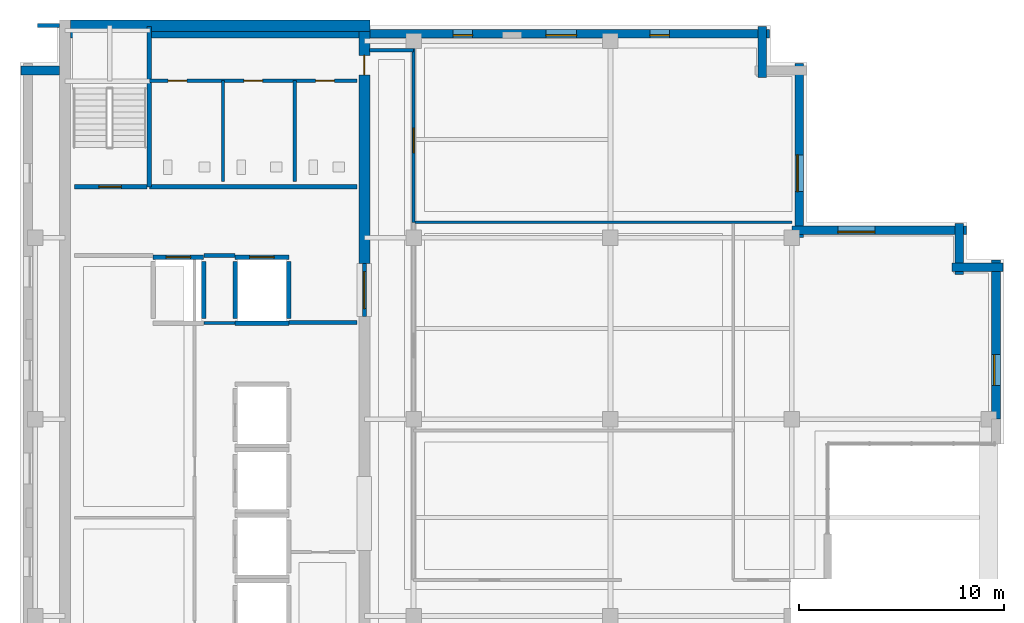
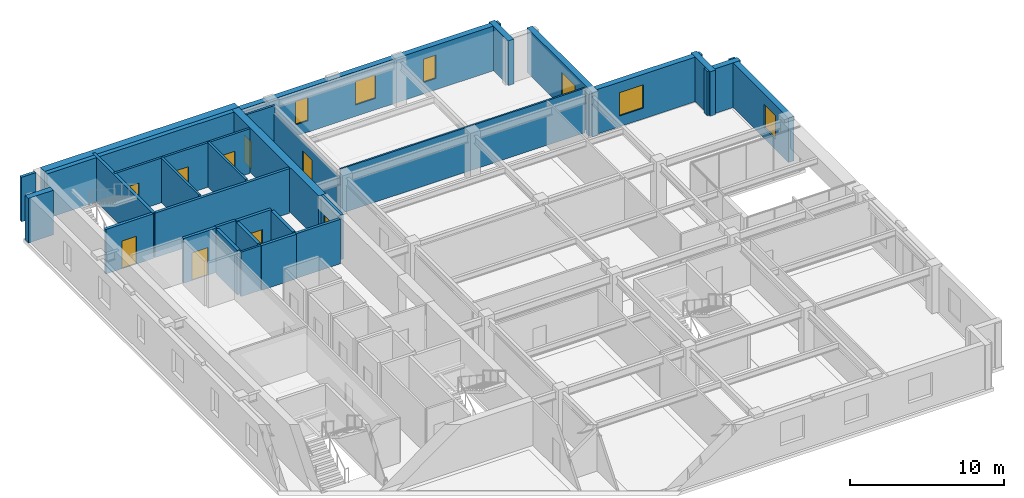
# One storey, part 5 of 11: 30 walls, 9 doors, 6 windows, 15 openings.
"""IFC4 building model written with IfcOpenShell, lengths in metres."""

from ifc_helpers import new_model, si_unit, direction, frame, frame_2d, origin, place, context, subcontext, project, spatial, rectangle, extrude, material, layer, layer_set, type_object, element, fill, save


model = new_model("IFC4")

# Units and contexts
model_context = context("Model", 3, precision=1e-05, world=origin(), true_north=direction((0.0, 1.0)))
body_context = subcontext(model_context, "Body", "Model", "MODEL_VIEW")
ifc_project = project(units=[si_unit("LENGTHUNIT", "METRE"), si_unit("AREAUNIT", "SQUARE_METRE"), si_unit("VOLUMEUNIT", "CUBIC_METRE"), si_unit("PLANEANGLEUNIT", "RADIAN"), si_unit("MASSUNIT", "GRAM", prefix="KILO")], contexts=[model_context])

# Site, building, storey
site_placement = place(None, origin())
site = spatial("IfcSite", under=ifc_project, at=site_placement, CompositionType="ELEMENT")
building_placement = place(site_placement, origin())
building = spatial("IfcBuilding", under=site, at=building_placement, Name="Norrvale University Quadrangle", CompositionType="ELEMENT")
storey_placement = place(building_placement, frame((0.0, 0.0, 281.0)))
storey = spatial("IfcBuildingStorey", under=building, at=storey_placement, Name="L71", CompositionType="ELEMENT", Elevation=281.0)

# Walls
ifc_material_1 = material(Name="Buff Norman Clay Brick Masonry", Category="masonry")
ifc_layer_1 = layer(ifc_material_1, 0.419921875, Name="Buff Norman Clay Brick Masonry")
ifc_layer_set_1 = layer_set([ifc_layer_1], Name="Buff Norman Clay Brick Masonry")
wall_type_1 = type_object("IfcWallType", Name="Wall Buff Brick 420", PredefinedType="SOLIDWALL", material=ifc_layer_set_1)
for number, where, z_axis, x_axis, name in (
    (1, (47.9599609375, 36.2099609375, 0.0), (0.0, 0.0, 1.0), (-1.0, 0.0, 0.0), "Exterior Brick Facade Wall L71-05.1"),
    (2, (45.81005859375, 35.860107421875, 0.0), (0.0, 0.0, 1.0), (0.0, 1.0, 0.0), "Exterior Brick Facade Wall L71-06.1"),
):
    element("IfcWall", number, at=place(storey_placement, frame(where, z_axis=z_axis, x_axis=x_axis)), inside=storey, type_object=wall_type_1, Name=name, PredefinedType="SOLIDWALL", context=body_context, shape_type="SweptSolid", body=[
        extrude(rectangle(XDim=2.5, YDim=0.419921875, at=frame_2d((1.25, 0.0))), origin(), (0.0, 0.0, 1.0), 3.5400390625),
    ])

# Wall, opening, window
wall_1_placement = place(storey_placement, frame((46.159912109375, 38.010009765625, 0.0), z_axis=(0.0, 0.0, 1.0), x_axis=(-1.0, 0.0, 0.0)))
wall_1 = element("IfcWall", 3, at=wall_1_placement, inside=storey, type_object=wall_type_1, Name="Exterior Brick Facade Wall L71-07.1", PredefinedType="SOLIDWALL", context=body_context, shape_type="SweptSolid", body=[
    extrude(rectangle(XDim=8.5, YDim=0.419921875, at=frame_2d((4.25, 0.0))), origin(), (0.0, 0.0, 1.0), 3.5400390625),
])
opening_1_placement = place(wall_1_placement, frame((4.4599609375, 0.0, 0.85009765625)))
opening_1 = element("IfcOpeningElement", 4, at=opening_1_placement, cuts=wall_1, Name="Opening W01", PredefinedType="OPENING", context=body_context, shape_type="SweptSolid", body=[
    extrude(rectangle(XDim=1.800048828125, YDim=1.85009765625, at=frame_2d((0.89990234375, 0.925048828125))), frame((0.0, 0.221923828125, 0.0), z_axis=(0.0, -1.0, 0.0), x_axis=(1.0, 0.0, 0.0)), (0.0, 0.0, 1.0), 0.44384765625),
])
ifc_material_2 = material(Name="Triple Low-E Argon Glazing", Category="glass")
window_type_1 = type_object("IfcWindowType", Name="Window Academic 1800x2300", PartitioningType="DOUBLE_PANEL_VERTICAL", PredefinedType="WINDOW", material=ifc_material_2)
window_1_placement = place(opening_1_placement, origin())
window_1 = element("IfcWindow", 5, at=window_1_placement, inside=storey, type_object=window_type_1, Name="Window Academic 1800x2300 WIN-L71-E07-1-01", OverallHeight=1.85009765625, OverallWidth=1.800048828125, PartitioningType="DOUBLE_PANEL_VERTICAL", PredefinedType="WINDOW", context=body_context, shape_type="SweptSolid", body=[
    extrude(rectangle(XDim=1.800048828125, YDim=1.85009765625, at=frame_2d((0.89990234375, 0.925048828125))), frame((0.0, 0.110107421875, 0.0), z_axis=(0.0, -1.0, 0.0), x_axis=(1.0, 0.0, 0.0)), (0.0, 0.0, 1.0), 0.06005859375),
])
fill(opening_1, window_1)

wall_2_placement = place(storey_placement, frame((38.010009765625, 37.659912109375, 0.0), z_axis=(0.0, 0.0, 1.0), x_axis=(0.0, 1.0, 0.0)))
wall_2 = element("IfcWall", 6, at=wall_2_placement, inside=storey, type_object=wall_type_1, Name="Exterior Brick Facade Wall L71-08.1", PredefinedType="SOLIDWALL", context=body_context, shape_type="SweptSolid", body=[
    extrude(rectangle(XDim=8.5, YDim=0.419921875, at=frame_2d((4.25, 0.0))), origin(), (0.0, 0.0, 1.0), 3.5400390625),
])
opening_2_placement = place(wall_2_placement, frame((2.239990234375, 0.0, 0.85009765625)))
opening_2 = element("IfcOpeningElement", 7, at=opening_2_placement, cuts=wall_2, Name="Opening W01", PredefinedType="OPENING", context=body_context, shape_type="SweptSolid", body=[
    extrude(rectangle(XDim=1.800048828125, YDim=1.85009765625, at=frame_2d((0.89990234375, 0.925048828125))), frame((0.0, 0.221923828125, 0.0), z_axis=(0.0, -1.0, 0.0), x_axis=(1.0, 0.0, 0.0)), (0.0, 0.0, 1.0), 0.44384765625),
])
window_2_placement = place(opening_2_placement, origin())
window_2 = element("IfcWindow", 8, at=window_2_placement, inside=storey, type_object=window_type_1, Name="Window Academic 1800x2300 WIN-L71-E08-1-01", OverallHeight=1.85009765625, OverallWidth=1.800048828125, PartitioningType="DOUBLE_PANEL_VERTICAL", PredefinedType="WINDOW", context=body_context, shape_type="SweptSolid", body=[
    extrude(rectangle(XDim=1.800048828125, YDim=1.85009765625, at=frame_2d((0.89990234375, 0.925048828125))), frame((0.0, 0.110107421875, 0.0), z_axis=(0.0, -1.0, 0.0), x_axis=(1.0, 0.0, 0.0)), (0.0, 0.0, 1.0), 0.06005859375),
])
fill(opening_2, window_2)

# Wall
wall_3_placement = place(storey_placement, frame((36.2099609375, 45.4599609375, 0.0), z_axis=(0.0, 0.0, 1.0), x_axis=(0.0, 1.0, 0.0)))
element("IfcWall", 9, at=wall_3_placement, inside=storey, type_object=wall_type_1, Name="Exterior Brick Facade Wall L71-10.1", PredefinedType="SOLIDWALL", context=body_context, shape_type="SweptSolid", body=[
    extrude(rectangle(XDim=2.5, YDim=0.419921875, at=frame_2d((1.25, 0.0))), origin(), (0.0, 0.0, 1.0), 3.5400390625),
])

# Wall, openings, windows
wall_4_placement = place(storey_placement, frame((36.56005859375, 47.610107421875, 0.0), z_axis=(0.0, 0.0, 1.0), x_axis=(-1.0, 0.0, 0.0)))
wall_4 = element("IfcWall", 10, at=wall_4_placement, inside=storey, type_object=wall_type_1, Name="Exterior Brick Facade Wall L71-11.1", PredefinedType="SOLIDWALL", context=body_context, shape_type="SweptSolid", body=[
    extrude(rectangle(XDim=34.0849609375, YDim=0.419921875, at=frame_2d((17.04248046875, 0.0))), origin(), (0.0, 0.0, 1.0), 3.5400390625),
])
opening_3_placement = place(wall_4_placement, frame((4.885009765625, 0.0, 0.89990234375)))
opening_3 = element("IfcOpeningElement", 11, at=opening_3_placement, cuts=wall_4, Name="Opening W04", PredefinedType="OPENING", context=body_context, shape_type="SweptSolid", body=[
    extrude(rectangle(XDim=0.949951171875, YDim=1.85009765625, at=frame_2d((0.47509765625, 0.925048828125))), frame((0.0, 0.221923828125, 0.0), z_axis=(0.0, -1.0, 0.0), x_axis=(1.0, 0.0, 0.0)), (0.0, 0.0, 1.0), 0.44384765625),
])
opening_4_placement = place(wall_4_placement, frame((9.409912109375, 0.0, 0.89990234375)))
opening_4 = element("IfcOpeningElement", 12, at=opening_4_placement, cuts=wall_4, Name="Opening W03", PredefinedType="OPENING", context=body_context, shape_type="SweptSolid", body=[
    extrude(rectangle(XDim=1.5, YDim=1.85009765625, at=frame_2d((0.75, 0.925048828125))), frame((0.0, 0.221923828125, 0.0), z_axis=(0.0, -1.0, 0.0), x_axis=(1.0, 0.0, 0.0)), (0.0, 0.0, 1.0), 0.44384765625),
])
opening_5_placement = place(wall_4_placement, frame((14.485107421875, 0.0, 0.89990234375)))
opening_5 = element("IfcOpeningElement", 13, at=opening_5_placement, cuts=wall_4, Name="Opening W04", PredefinedType="OPENING", context=body_context, shape_type="SweptSolid", body=[
    extrude(rectangle(XDim=0.949951171875, YDim=1.85009765625, at=frame_2d((0.47509765625, 0.925048828125))), frame((0.0, 0.221923828125, 0.0), z_axis=(0.0, -1.0, 0.0), x_axis=(1.0, 0.0, 0.0)), (0.0, 0.0, 1.0), 0.44384765625),
])
window_type_2 = type_object("IfcWindowType", Name="Window Narrow Pier 950x2300", PartitioningType="SINGLE_PANEL", PredefinedType="WINDOW", material=ifc_material_2)
window_3_placement = place(opening_3_placement, origin())
window_3 = element("IfcWindow", 14, at=window_3_placement, inside=storey, type_object=window_type_2, Name="Window Narrow Pier 950x2300 WIN-L71-E11-1-01", OverallHeight=1.85009765625, OverallWidth=0.949951171875, PartitioningType="SINGLE_PANEL", PredefinedType="WINDOW", context=body_context, shape_type="SweptSolid", body=[
    extrude(rectangle(XDim=0.949951171875, YDim=1.85009765625, at=frame_2d((0.47509765625, 0.925048828125))), frame((0.0, 0.110107421875, 0.0), z_axis=(0.0, -1.0, 0.0), x_axis=(1.0, 0.0, 0.0)), (0.0, 0.0, 1.0), 0.06005859375),
])
fill(opening_3, window_3)
window_4_placement = place(opening_5_placement, origin())
window_4 = element("IfcWindow", 15, at=window_4_placement, inside=storey, type_object=window_type_2, Name="Window Narrow Pier 950x2300 WIN-L71-E11-1-03", OverallHeight=1.85009765625, OverallWidth=0.949951171875, PartitioningType="SINGLE_PANEL", PredefinedType="WINDOW", context=body_context, shape_type="SweptSolid", body=[
    extrude(rectangle(XDim=0.949951171875, YDim=1.85009765625, at=frame_2d((0.47509765625, 0.925048828125))), frame((0.0, 0.110107421875, 0.0), z_axis=(0.0, -1.0, 0.0), x_axis=(1.0, 0.0, 0.0)), (0.0, 0.0, 1.0), 0.06005859375),
])
fill(opening_5, window_4)
window_type_3 = type_object("IfcWindowType", Name="Window Studio 1500x2300", PartitioningType="DOUBLE_PANEL_VERTICAL", PredefinedType="WINDOW", material=ifc_material_2)
window_5_placement = place(opening_4_placement, origin())
window_5 = element("IfcWindow", 16, at=window_5_placement, inside=storey, type_object=window_type_3, Name="Window Studio 1500x2300 WIN-L71-E11-1-02", OverallHeight=1.85009765625, OverallWidth=1.5, PartitioningType="DOUBLE_PANEL_VERTICAL", PredefinedType="WINDOW", context=body_context, shape_type="SweptSolid", body=[
    extrude(rectangle(XDim=1.5, YDim=1.85009765625, at=frame_2d((0.75, 0.925048828125))), frame((0.0, 0.110107421875, 0.0), z_axis=(0.0, -1.0, 0.0), x_axis=(1.0, 0.0, 0.0)), (0.0, 0.0, 1.0), 0.06005859375),
])
fill(opening_4, window_5)

# Wall
wall_5_placement = place(storey_placement, frame((1.925048828125, 45.81005859375, 0.0), z_axis=(0.0, 0.0, 1.0), x_axis=(-1.0, 0.0, 0.0)))
element("IfcWall", 17, at=wall_5_placement, inside=storey, type_object=wall_type_1, Name="Exterior Brick Facade Wall L71-13.1", PredefinedType="SOLIDWALL", context=body_context, shape_type="SweptSolid", body=[
    extrude(rectangle(XDim=1.885009765625, YDim=0.419921875, at=frame_2d((0.9423828125, 0.0))), origin(), (0.0, 0.0, 1.0), 3.5400390625),
])

# Wall, opening, window
wall_6_placement = place(storey_placement, frame((47.610107421875, 28.800048828125, 0.0), z_axis=(0.0, 0.0, 1.0), x_axis=(0.0, 1.0, 0.0)))
wall_6 = element("IfcWall", 18, at=wall_6_placement, inside=storey, type_object=wall_type_1, Name="Exterior Brick Facade Wall L71-04.2 B2", PredefinedType="SOLIDWALL", context=body_context, shape_type="SweptSolid", body=[
    extrude(rectangle(XDim=7.760009765625, YDim=0.419921875, at=frame_2d((3.8798828125, 0.0))), origin(), (0.0, 0.0, 1.0), 3.5400390625),
])
opening_6_placement = place(wall_6_placement, frame((1.64990234375, 0.0, 0.85009765625)))
opening_6 = element("IfcOpeningElement", 19, at=opening_6_placement, cuts=wall_6, Name="Opening W03", PredefinedType="OPENING", context=body_context, shape_type="SweptSolid", body=[
    extrude(rectangle(XDim=1.5, YDim=1.85009765625, at=frame_2d((0.75, 0.925048828125))), frame((0.0, 0.221923828125, 0.0), z_axis=(0.0, -1.0, 0.0), x_axis=(1.0, 0.0, 0.0)), (0.0, 0.0, 1.0), 0.44384765625),
])
window_6_placement = place(opening_6_placement, origin())
window_6 = element("IfcWindow", 20, at=window_6_placement, inside=storey, type_object=window_type_3, Name="Window Studio 1500x2300 WIN-L71-E04-2-01", OverallHeight=1.85009765625, OverallWidth=1.5, PartitioningType="DOUBLE_PANEL_VERTICAL", PredefinedType="WINDOW", context=body_context, shape_type="SweptSolid", body=[
    extrude(rectangle(XDim=1.5, YDim=1.85009765625, at=frame_2d((0.75, 0.925048828125))), frame((0.0, 0.110107421875, 0.0), z_axis=(0.0, -1.0, 0.0), x_axis=(1.0, 0.0, 0.0)), (0.0, 0.0, 1.0), 0.06005859375),
])
fill(opening_6, window_6)

# Wall
ifc_material_3 = material(Name="Concrete C60/75", Category="concrete")
ifc_layer_2 = layer(ifc_material_3, 0.550048828125, Name="Concrete C60/75")
ifc_layer_set_2 = layer_set([ifc_layer_2], Name="Concrete C60/75")
wall_type_2 = type_object("IfcWallType", Name="Wall Core 550", PredefinedType="SHEAR", material=ifc_layer_set_2)
wall_7_placement = place(storey_placement, frame((2.47509765625, 48.0, 0.0), z_axis=(0.0, 0.0, 1.0), x_axis=(1.0, 0.0, 0.0)))
element("IfcWall", 21, at=wall_7_placement, inside=storey, type_object=wall_type_2, Name="Tower Core Shear Wall L71-N", PredefinedType="SHEAR", context=body_context, shape_type="SweptSolid", body=[
    extrude(rectangle(XDim=14.599853515625, YDim=0.550048828125, at=frame_2d((7.2998046875, 0.0))), origin(), (0.0, 0.0, 1.0), 3.5400390625),
])

# Wall, opening, door
wall_8_placement = place(storey_placement, frame((16.800048828125, 36.39990234375, 0.0), z_axis=(0.0, 0.0, 1.0), x_axis=(0.0, 1.0, 0.0)))
wall_8 = element("IfcWall", 22, at=wall_8_placement, inside=storey, type_object=wall_type_2, Name="Tower Core Shear Wall L71-E3", PredefinedType="SHEAR", context=body_context, shape_type="SweptSolid", body=[
    extrude(rectangle(XDim=11.3251953125, YDim=0.550048828125, at=frame_2d((5.66259765625, 0.0))), origin(), (0.0, 0.0, 1.0), 3.5400390625),
])
opening_7_placement = place(wall_8_placement, frame((9.199951171875, 0.0, 0.0)))
opening_7 = element("IfcOpeningElement", 23, at=opening_7_placement, cuts=wall_8, Name="Opening D07", PredefinedType="OPENING", context=body_context, shape_type="SweptSolid", body=[
    extrude(rectangle(XDim=0.949951171875, YDim=2.14990234375, at=frame_2d((0.47509765625, 1.074951171875))), frame((0.0, 0.287109375, 0.0), z_axis=(0.0, -1.0, 0.0), x_axis=(1.0, 0.0, 0.0)), (0.0, 0.0, 1.0), 0.573974609375),
])
ifc_material_4 = material(Name="Solid-Core Maple Door", Category="wood")
door_type_1 = type_object("IfcDoorType", Name="Door Office 950x2150", OperationType="NOTDEFINED", PredefinedType="DOOR", material=ifc_material_4)
door_1_placement = place(opening_7_placement, origin())
door_1 = element("IfcDoor", 24, at=door_1_placement, inside=storey, type_object=door_type_1, Name="Door Office 950x2150 DR-L71-NECORR", OperationType="SINGLE_SWING_RIGHT", OverallHeight=2.14990234375, OverallWidth=0.949951171875, PredefinedType="DOOR", context=body_context, shape_type="SweptSolid", body=[
    extrude(rectangle(XDim=0.949951171875, YDim=2.14990234375, at=frame_2d((0.47509765625, 1.074951171875))), frame((0.0, 0.02490234375, 0.0), z_axis=(0.0, -1.0, 0.0), x_axis=(1.0, 0.0, 0.0)), (0.0, 0.0, 1.0), 0.050048828125),
])
fill(opening_7, door_1)

# Walls
ifc_material_5 = material(Name="Standard Academic Gypsum Partition")
ifc_layer_3 = layer(ifc_material_5, 0.125, Name="Standard Academic Gypsum Partition")
ifc_layer_set_3 = layer_set([ifc_layer_3], Name="Standard Academic Gypsum Partition")
wall_type_3 = type_object("IfcWallType", Name="Wall Gypsum Academic 125", PredefinedType="PARTITIONING", material=ifc_layer_set_3)
wall_9_placement = place(storey_placement, frame((19.280029296875, 38.39990234375, 0.0), z_axis=(0.0, 0.0, 1.0), x_axis=(1.0, 0.0, 0.0)))
element("IfcWall", 25, at=wall_9_placement, inside=storey, type_object=wall_type_3, Name="Interior Partition WL-L71-MEN-N", PredefinedType="PARTITIONING", context=body_context, shape_type="SweptSolid", body=[
    extrude(rectangle(XDim=18.369873046875, YDim=0.125, at=frame_2d((9.18505859375, 0.0))), origin(), (0.0, 0.0, 1.0), 3.5400390625),
])
ifc_material_6 = material(Name="Fire-Rated Gypsum Stud Partition")
ifc_layer_4 = layer(ifc_material_6, 0.14990234375, Name="Fire-Rated Gypsum Stud Partition")
ifc_layer_set_4 = layer_set([ifc_layer_4], Name="Fire-Rated Gypsum Stud Partition")
wall_type_4 = type_object("IfcWallType", Name="Wall Gypsum Corridor 150", PredefinedType="PARTITIONING", material=ifc_layer_set_4)
wall_10_placement = place(storey_placement, frame((8.965087890625, 33.489990234375, 0.0), z_axis=(0.0, 0.0, 1.0), x_axis=(1.0, 0.0, 0.0)))
element("IfcWall", 26, at=wall_10_placement, inside=storey, type_object=wall_type_4, Name="Interior Partition WL-L71-LL3", PredefinedType="PARTITIONING", context=body_context, shape_type="SweptSolid", body=[
    extrude(rectangle(XDim=1.52001953125, YDim=0.14990234375, at=frame_2d((0.760009765625, 0.0))), origin(), (0.0, 0.0, 1.0), 3.5400390625),
])
wall_11_placement = place(storey_placement, frame((17.050048828125, 46.800048828125, 0.0), z_axis=(0.0, 0.0, 1.0), x_axis=(1.0, 0.0, 0.0)))
element("IfcWall", 27, at=wall_11_placement, inside=storey, type_object=wall_type_4, Name="Interior Partition WL-L71-CSP-N", PredefinedType="PARTITIONING", context=body_context, shape_type="SweptSolid", body=[
    extrude(rectangle(XDim=2.14990234375, YDim=0.14990234375, at=frame_2d((1.074951171875, 0.0))), origin(), (0.0, 0.0, 1.0), 3.5400390625),
])

# Wall, opening, door
wall_12_placement = place(storey_placement, frame((19.199951171875, 38.39990234375, 0.0), z_axis=(0.0, 0.0, 1.0), x_axis=(0.0, 1.0, 0.0)))
wall_12 = element("IfcWall", 28, at=wall_12_placement, inside=storey, type_object=wall_type_4, Name="Interior Partition WL-L71-NECW", PredefinedType="PARTITIONING", context=body_context, shape_type="SweptSolid", body=[
    extrude(rectangle(XDim=9.050048828125, YDim=0.14990234375, at=frame_2d((4.52490234375, 0.0))), origin(), (0.0, 0.0, 1.0), 2.923095703125),
])
opening_8_placement = place(wall_12_placement, frame((3.39990234375, 0.0, 0.0)))
opening_8 = element("IfcOpeningElement", 29, at=opening_8_placement, cuts=wall_12, Name="Opening D05", PredefinedType="OPENING", context=body_context, shape_type="SweptSolid", body=[
    extrude(rectangle(XDim=1.199951171875, YDim=2.199951171875, at=frame_2d((0.60009765625, 1.10009765625))), frame((0.0, 0.0869140625, 0.0), z_axis=(0.0, -1.0, 0.0), x_axis=(1.0, 0.0, 0.0)), (0.0, 0.0, 1.0), 0.173828125),
])
ifc_material_7 = material(Name="Acoustic Oak Classroom Door", Category="wood")
door_type_2 = type_object("IfcDoorType", Name="Door Classroom 1200x2200", OperationType="NOTDEFINED", PredefinedType="DOOR", material=ifc_material_7)
door_2_placement = place(opening_8_placement, origin())
door_2 = element("IfcDoor", 30, at=door_2_placement, inside=storey, type_object=door_type_2, Name="Door Classroom 1200x2200 DR-L71-NE01", OperationType="SINGLE_SWING_RIGHT", OverallHeight=2.199951171875, OverallWidth=1.199951171875, PredefinedType="DOOR", context=body_context, shape_type="SweptSolid", body=[
    extrude(rectangle(XDim=1.199951171875, YDim=2.199951171875, at=frame_2d((0.60009765625, 1.10009765625))), frame((0.0, 0.02490234375, 0.0), z_axis=(0.0, -1.0, 0.0), x_axis=(1.0, 0.0, 0.0)), (0.0, 0.0, 1.0), 0.050048828125),
])
fill(opening_8, door_2)

# Wall, openings, doors
ifc_material_8 = material(Name="Sanitary Chase Gypsum Partition")
ifc_layer_5 = layer(ifc_material_8, 0.1650390625, Name="Sanitary Chase Gypsum Partition")
ifc_layer_set_5 = layer_set([ifc_layer_5], Name="Sanitary Chase Gypsum Partition")
wall_type_5 = type_object("IfcWallType", Name="Wall Gypsum Sanitary 165", PredefinedType="PLUMBINGWALL", material=ifc_layer_set_5)
wall_13_placement = place(storey_placement, frame((6.320068359375, 45.320068359375, 0.0), z_axis=(0.0, 0.0, 1.0), x_axis=(1.0, 0.0, 0.0)))
wall_13 = element("IfcWall", 31, at=wall_13_placement, inside=storey, type_object=wall_type_5, Name="Interior Partition WL-L71-WCN", PredefinedType="PLUMBINGWALL", context=body_context, shape_type="SweptSolid", body=[
    extrude(rectangle(XDim=10.1298828125, YDim=0.1650390625, at=frame_2d((5.06494140625, 0.0))), origin(), (0.0, 0.0, 1.0), 3.5400390625),
])
opening_9_placement = place(wall_13_placement, frame((0.89990234375, 0.0, 0.0)))
opening_9 = element("IfcOpeningElement", 32, at=opening_9_placement, cuts=wall_13, Name="Opening D08", PredefinedType="OPENING", context=body_context, shape_type="SweptSolid", body=[
    extrude(rectangle(XDim=0.919921875, YDim=2.14990234375, at=frame_2d((0.4599609375, 1.074951171875))), frame((0.0, 0.094482421875, 0.0), z_axis=(0.0, -1.0, 0.0), x_axis=(1.0, 0.0, 0.0)), (0.0, 0.0, 1.0), 0.18896484375),
])
opening_10_placement = place(wall_13_placement, frame((4.60009765625, 0.0, 0.0)))
opening_10 = element("IfcOpeningElement", 33, at=opening_10_placement, cuts=wall_13, Name="Opening D08", PredefinedType="OPENING", context=body_context, shape_type="SweptSolid", body=[
    extrude(rectangle(XDim=0.919921875, YDim=2.14990234375, at=frame_2d((0.4599609375, 1.074951171875))), frame((0.0, 0.094482421875, 0.0), z_axis=(0.0, -1.0, 0.0), x_axis=(1.0, 0.0, 0.0)), (0.0, 0.0, 1.0), 0.18896484375),
])
opening_11_placement = place(wall_13_placement, frame((8.10009765625, 0.0, 0.0)))
opening_11 = element("IfcOpeningElement", 34, at=opening_11_placement, cuts=wall_13, Name="Opening D08", PredefinedType="OPENING", context=body_context, shape_type="SweptSolid", body=[
    extrude(rectangle(XDim=0.919921875, YDim=2.14990234375, at=frame_2d((0.4599609375, 1.074951171875))), frame((0.0, 0.094482421875, 0.0), z_axis=(0.0, -1.0, 0.0), x_axis=(1.0, 0.0, 0.0)), (0.0, 0.0, 1.0), 0.18896484375),
])
ifc_material_9 = material(Name="Laminate Washroom Door", Category="wood")
door_type_3 = type_object("IfcDoorType", Name="Door Washroom 920x2150", OperationType="NOTDEFINED", PredefinedType="DOOR", material=ifc_material_9)
door_3_placement = place(opening_9_placement, origin())
door_3 = element("IfcDoor", 35, at=door_3_placement, inside=storey, type_object=door_type_3, Name="Door Washroom 920x2150 DR-L71-WC1", OperationType="SINGLE_SWING_LEFT", OverallHeight=2.14990234375, OverallWidth=0.919921875, PredefinedType="DOOR", context=body_context, shape_type="SweptSolid", body=[
    extrude(rectangle(XDim=0.919921875, YDim=2.14990234375, at=frame_2d((0.4599609375, 1.074951171875))), frame((0.0, 0.02490234375, 0.0), z_axis=(0.0, -1.0, 0.0), x_axis=(1.0, 0.0, 0.0)), (0.0, 0.0, 1.0), 0.050048828125),
])
fill(opening_9, door_3)
door_4_placement = place(opening_10_placement, origin())
door_4 = element("IfcDoor", 36, at=door_4_placement, inside=storey, type_object=door_type_3, Name="Door Washroom 920x2150 DR-L71-WC2", OperationType="SINGLE_SWING_RIGHT", OverallHeight=2.14990234375, OverallWidth=0.919921875, PredefinedType="DOOR", context=body_context, shape_type="SweptSolid", body=[
    extrude(rectangle(XDim=0.919921875, YDim=2.14990234375, at=frame_2d((0.4599609375, 1.074951171875))), frame((0.0, 0.02490234375, 0.0), z_axis=(0.0, -1.0, 0.0), x_axis=(1.0, 0.0, 0.0)), (0.0, 0.0, 1.0), 0.050048828125),
])
fill(opening_10, door_4)
door_5_placement = place(opening_11_placement, origin())
door_5 = element("IfcDoor", 37, at=door_5_placement, inside=storey, type_object=door_type_3, Name="Door Washroom 920x2150 DR-L71-WC3", OperationType="SINGLE_SWING_LEFT", OverallHeight=2.14990234375, OverallWidth=0.919921875, PredefinedType="DOOR", context=body_context, shape_type="SweptSolid", body=[
    extrude(rectangle(XDim=0.919921875, YDim=2.14990234375, at=frame_2d((0.4599609375, 1.074951171875))), frame((0.0, 0.02490234375, 0.0), z_axis=(0.0, -1.0, 0.0), x_axis=(1.0, 0.0, 0.0)), (0.0, 0.0, 1.0), 0.050048828125),
])
fill(opening_11, door_5)

# Walls
for number, where, z_axis, x_axis, name in (
    (38, (9.89990234375, 40.39990234375, 0.0), (0.0, 0.0, 1.0), (0.0, 1.0, 0.0), "Interior Partition WL-L71-WCM1"),
    (39, (13.39990234375, 40.39990234375, 0.0), (0.0, 0.0, 1.0), (0.0, 1.0, 0.0), "Interior Partition WL-L71-WCM2"),
):
    element("IfcWall", number, at=place(storey_placement, frame(where, z_axis=z_axis, x_axis=x_axis)), inside=storey, type_object=wall_type_5, Name=name, PredefinedType="PLUMBINGWALL", context=body_context, shape_type="SweptSolid", body=[
        extrude(rectangle(XDim=4.920166015625, YDim=0.1650390625, at=frame_2d((2.4599609375, 0.0))), origin(), (0.0, 0.0, 1.0), 3.5400390625),
    ])
ifc_material_10 = material(Name="Concrete Blockwork 20 MPa Rated Wall", Category="masonry")
ifc_layer_6 = layer(ifc_material_10, 0.199951171875, Name="Concrete Blockwork 20 MPa Rated Wall")
ifc_layer_set_6 = layer_set([ifc_layer_6], Name="Concrete Blockwork 20 MPa Rated Wall")
wall_type_6 = type_object("IfcWallType", Name="Wall Lobby 200", PredefinedType="SOLIDWALL", material=ifc_layer_set_6)
wall_14_placement = place(storey_placement, frame((8.969970703125, 36.780029296875, 0.0), z_axis=(0.0, 0.0, 1.0), x_axis=(1.0, 0.0, 0.0)))
element("IfcWall", 40, at=wall_14_placement, inside=storey, type_object=wall_type_6, Name="Interior Partition WL-L71-FF2", PredefinedType="SOLIDWALL", context=body_context, shape_type="SweptSolid", body=[
    extrude(rectangle(XDim=1.510009765625, YDim=0.199951171875, at=frame_2d((0.7548828125, 0.0))), origin(), (0.0, 0.0, 1.0), 3.5400390625),
])
wall_15_placement = place(storey_placement, frame((13.1201171875, 33.52001953125, 0.0), z_axis=(0.0, 0.0, 1.0), x_axis=(1.0, 0.0, 0.0)))
element("IfcWall", 41, at=wall_15_placement, inside=storey, type_object=wall_type_6, Name="Interior Partition WL-L71-FF3", PredefinedType="SOLIDWALL", context=body_context, shape_type="SweptSolid", body=[
    extrude(rectangle(XDim=3.329833984375, YDim=0.199951171875, at=frame_2d((1.6650390625, 0.0))), origin(), (0.0, 0.0, 1.0), 3.5400390625),
])
wall_16_placement = place(storey_placement, frame((6.320068359375, 40.139892578125, 0.0), z_axis=(0.0, 0.0, 1.0), x_axis=(1.0, 0.0, 0.0)))
element("IfcWall", 42, at=wall_16_placement, inside=storey, type_object=wall_type_6, Name="Interior Partition WL-L71-FF4", PredefinedType="SOLIDWALL", context=body_context, shape_type="SweptSolid", body=[
    extrude(rectangle(XDim=10.1298828125, YDim=0.199951171875, at=frame_2d((5.06494140625, 0.0))), origin(), (0.0, 0.0, 1.0), 3.5400390625),
])

# Wall, opening, door
wall_17_placement = place(storey_placement, frame((16.800048828125, 33.800048828125, 0.0), z_axis=(0.0, 0.0, 1.0), x_axis=(0.0, 1.0, 0.0)))
wall_17 = element("IfcWall", 43, at=wall_17_placement, inside=storey, type_object=wall_type_6, Name="Interior Partition WL-L71-FFP", PredefinedType="SOLIDWALL", context=body_context, shape_type="SweptSolid", body=[
    extrude(rectangle(XDim=2.599853515625, YDim=0.199951171875, at=frame_2d((1.2998046875, 0.0))), origin(), (0.0, 0.0, 1.0), 3.5400390625),
])
opening_12_placement = place(wall_17_placement, frame((0.39990234375, 0.0, 0.0)))
opening_12 = element("IfcOpeningElement", 44, at=opening_12_placement, cuts=wall_17, Name="Opening D03", PredefinedType="OPENING", context=body_context, shape_type="SweptSolid", body=[
    extrude(rectangle(XDim=1.800048828125, YDim=2.199951171875, at=frame_2d((0.89990234375, 1.10009765625))), frame((0.0, 0.112060546875, 0.0), z_axis=(0.0, -1.0, 0.0), x_axis=(1.0, 0.0, 0.0)), (0.0, 0.0, 1.0), 0.223876953125),
])
ifc_material_11 = material(Name="Hollow Steel 350W Fire Door", Category="steel")
door_type_4 = type_object("IfcDoorType", Name="Door Fire Lobby 1800x2200", OperationType="DOUBLE_DOOR_SINGLE_SWING", PredefinedType="DOOR", material=ifc_material_11)
door_6_placement = place(opening_12_placement, origin())
door_6 = element("IfcDoor", 45, at=door_6_placement, inside=storey, type_object=door_type_4, Name="Door Fire Lobby 1800x2200 DR-L71-FFP", OperationType="DOUBLE_DOOR_SINGLE_SWING", OverallHeight=2.199951171875, OverallWidth=1.800048828125, PredefinedType="DOOR", context=body_context, shape_type="SweptSolid", body=[
    extrude(rectangle(XDim=1.800048828125, YDim=2.199951171875, at=frame_2d((0.89990234375, 1.10009765625))), frame((0.0, 0.02490234375, 0.0), z_axis=(0.0, -1.0, 0.0), x_axis=(1.0, 0.0, 0.0)), (0.0, 0.0, 1.0), 0.050048828125),
])
fill(opening_12, door_6)

# Wall
wall_18_placement = place(storey_placement, frame((0.85009765625, 48.0, 0.0), z_axis=(0.0, 0.0, 1.0), x_axis=(1.0, 0.0, 0.0)))
element("IfcWall", 46, at=wall_18_placement, inside=storey, type_object=wall_type_6, Name="Interior Partition WL-L71-CWRET-N", PredefinedType="SOLIDWALL", context=body_context, shape_type="SweptSolid", body=[
    extrude(rectangle(XDim=1.06982421875, YDim=0.199951171875, at=frame_2d((0.534912109375, 0.0))), origin(), (0.0, 0.0, 1.0), 3.5400390625),
])

# Wall, opening, door
ifc_material_12 = material(Name="Concrete Blockwork 20 MPa Fire Shaft", Category="masonry")
ifc_layer_7 = layer(ifc_material_12, 0.219970703125, Name="Concrete Blockwork 20 MPa Fire Shaft")
ifc_layer_set_7 = layer_set([ifc_layer_7], Name="Concrete Blockwork 20 MPa Fire Shaft")
wall_type_7 = type_object("IfcWallType", Name="Wall Shaft 220", PredefinedType="SOLIDWALL", material=ifc_layer_set_7)
wall_19_placement = place(storey_placement, frame((2.64990234375, 40.139892578125, 0.0), z_axis=(0.0, 0.0, 1.0), x_axis=(1.0, 0.0, 0.0)))
wall_19 = element("IfcWall", 47, at=wall_19_placement, inside=storey, type_object=wall_type_7, Name="Stair ST-02 South Shaft Wall L71", PredefinedType="SOLIDWALL", context=body_context, shape_type="SweptSolid", body=[
    extrude(rectangle(XDim=3.550048828125, YDim=0.219970703125, at=frame_2d((1.77490234375, 0.0))), origin(), (0.0, 0.0, 1.0), 3.5400390625),
])
opening_13_placement = place(wall_19_placement, frame((1.199951171875, 0.0, 0.0)))
opening_13 = element("IfcOpeningElement", 48, at=opening_13_placement, cuts=wall_19, Name="Opening D02", PredefinedType="OPENING", context=body_context, shape_type="SweptSolid", body=[
    extrude(rectangle(XDim=1.10009765625, YDim=2.199951171875, at=frame_2d((0.550048828125, 1.10009765625))), frame((0.0, 0.1220703125, 0.0), z_axis=(0.0, -1.0, 0.0), x_axis=(1.0, 0.0, 0.0)), (0.0, 0.0, 1.0), 0.243896484375),
])
door_type_5 = type_object("IfcDoorType", Name="Door Stair Exit 1100x2200", OperationType="NOTDEFINED", PredefinedType="DOOR", material=ifc_material_11)
door_7_placement = place(opening_13_placement, origin())
door_7 = element("IfcDoor", 49, at=door_7_placement, inside=storey, type_object=door_type_5, Name="Door Stair Exit 1100x2200 DR-L71-ST02", OperationType="SINGLE_SWING_LEFT", OverallHeight=2.199951171875, OverallWidth=1.10009765625, PredefinedType="DOOR", context=body_context, shape_type="SweptSolid", body=[
    extrude(rectangle(XDim=1.10009765625, YDim=2.199951171875, at=frame_2d((0.550048828125, 1.10009765625))), frame((0.0, 0.02490234375, 0.0), z_axis=(0.0, -1.0, 0.0), x_axis=(1.0, 0.0, 0.0)), (0.0, 0.0, 1.0), 0.050048828125),
])
fill(opening_13, door_7)

# Walls
wall_20_placement = place(storey_placement, frame((6.31005859375, 40.139892578125, 0.0), z_axis=(0.0, 0.0, 1.0), x_axis=(0.0, 1.0, 0.0)))
element("IfcWall", 50, at=wall_20_placement, inside=storey, type_object=wall_type_7, Name="Stair ST-02 East Shaft Wall L71", PredefinedType="SOLIDWALL", context=body_context, shape_type="SweptSolid", body=[
    extrude(rectangle(XDim=7.81005859375, YDim=0.219970703125, at=frame_2d((3.905029296875, 0.0))), origin(), (0.0, 0.0, 1.0), 3.5400390625),
])
wall_21_placement = place(storey_placement, frame((8.9599609375, 33.7099609375, 0.0), z_axis=(0.0, 0.0, 1.0), x_axis=(0.0, 1.0, 0.0)))
element("IfcWall", 51, at=wall_21_placement, inside=storey, type_object=wall_type_7, Name="Hoistway FFL-01 East Wall L71", PredefinedType="SOLIDWALL", context=body_context, shape_type="SweptSolid", body=[
    extrude(rectangle(XDim=2.780029296875, YDim=0.219970703125, at=frame_2d((1.39013671875, 0.0))), origin(), (0.0, 0.0, 1.0), 3.5400390625),
])

# Wall, opening, door
wall_22_placement = place(storey_placement, frame((6.489990234375, 36.7099609375, 0.0), z_axis=(0.0, 0.0, 1.0), x_axis=(1.0, 0.0, 0.0)))
wall_22 = element("IfcWall", 52, at=wall_22_placement, inside=storey, type_object=wall_type_7, Name="Hoistway FFL-01 North Wall L71", PredefinedType="SOLIDWALL", context=body_context, shape_type="SweptSolid", body=[
    extrude(rectangle(XDim=2.469970703125, YDim=0.219970703125, at=frame_2d((1.23486328125, 0.0))), origin(), (0.0, 0.0, 1.0), 3.5400390625),
])
opening_14_placement = place(wall_22_placement, frame((0.635009765625, 0.0, 0.0)))
opening_14 = element("IfcOpeningElement", 53, at=opening_14_placement, cuts=wall_22, Name="Opening LD2", PredefinedType="OPENING", context=body_context, shape_type="SweptSolid", body=[
    extrude(rectangle(XDim=1.199951171875, YDim=2.199951171875, at=frame_2d((0.60009765625, 1.10009765625))), frame((0.0, 0.1220703125, 0.0), z_axis=(0.0, -1.0, 0.0), x_axis=(1.0, 0.0, 0.0)), (0.0, 0.0, 1.0), 0.243896484375),
])
ifc_material_13 = material(Name="Stainless Steel 316L Firefighter Lift Door", Category="steel")
door_type_6 = type_object("IfcDoorType", Name="Door Fire Lift 1200x2200", OperationType="DOUBLE_DOOR_SLIDING", PredefinedType="DOOR", material=ifc_material_13)
door_8_placement = place(opening_14_placement, origin())
door_8 = element("IfcDoor", 54, at=door_8_placement, inside=storey, type_object=door_type_6, Name="Elevator Landing Door DR-L71-FFL-01", OperationType="DOUBLE_DOOR_SLIDING", OverallHeight=2.199951171875, OverallWidth=1.199951171875, PredefinedType="DOOR", context=body_context, shape_type="SweptSolid", body=[
    extrude(rectangle(XDim=1.199951171875, YDim=2.199951171875, at=frame_2d((0.60009765625, 1.10009765625))), frame((0.0, 0.02490234375, 0.0), z_axis=(0.0, -1.0, 0.0), x_axis=(1.0, 0.0, 0.0)), (0.0, 0.0, 1.0), 0.050048828125),
])
fill(opening_14, door_8)

# Walls
for number, where, z_axis, x_axis, name in (
    (55, (10.489990234375, 33.7099609375, 0.0), (0.0, 0.0, 1.0), (0.0, 1.0, 0.0), "Hoistway FFL-02 West Wall L71"),
    (56, (13.110107421875, 33.7099609375, 0.0), (0.0, 0.0, 1.0), (0.0, 1.0, 0.0), "Hoistway FFL-02 East Wall L71"),
):
    element("IfcWall", number, at=place(storey_placement, frame(where, z_axis=z_axis, x_axis=x_axis)), inside=storey, type_object=wall_type_7, Name=name, PredefinedType="SOLIDWALL", context=body_context, shape_type="SweptSolid", body=[
        extrude(rectangle(XDim=2.780029296875, YDim=0.219970703125, at=frame_2d((1.39013671875, 0.0))), origin(), (0.0, 0.0, 1.0), 3.5400390625),
    ])
wall_23_placement = place(storey_placement, frame((10.489990234375, 33.489990234375, 0.0), z_axis=(0.0, 0.0, 1.0), x_axis=(1.0, 0.0, 0.0)))
element("IfcWall", 57, at=wall_23_placement, inside=storey, type_object=wall_type_7, Name="Hoistway FFL-02 South Wall L71", PredefinedType="SOLIDWALL", context=body_context, shape_type="SweptSolid", body=[
    extrude(rectangle(XDim=2.6201171875, YDim=0.219970703125, at=frame_2d((1.31005859375, 0.0))), origin(), (0.0, 0.0, 1.0), 3.5400390625),
])

# Wall, opening, door
wall_24_placement = place(storey_placement, frame((10.489990234375, 36.7099609375, 0.0), z_axis=(0.0, 0.0, 1.0), x_axis=(1.0, 0.0, 0.0)))
wall_24 = element("IfcWall", 58, at=wall_24_placement, inside=storey, type_object=wall_type_7, Name="Hoistway FFL-02 North Wall L71", PredefinedType="SOLIDWALL", context=body_context, shape_type="SweptSolid", body=[
    extrude(rectangle(XDim=2.6201171875, YDim=0.219970703125, at=frame_2d((1.31005859375, 0.0))), origin(), (0.0, 0.0, 1.0), 3.5400390625),
])
opening_15_placement = place(wall_24_placement, frame((0.7099609375, 0.0, 0.0)))
opening_15 = element("IfcOpeningElement", 59, at=opening_15_placement, cuts=wall_24, Name="Opening LD2", PredefinedType="OPENING", context=body_context, shape_type="SweptSolid", body=[
    extrude(rectangle(XDim=1.199951171875, YDim=2.199951171875, at=frame_2d((0.60009765625, 1.10009765625))), frame((0.0, 0.1220703125, 0.0), z_axis=(0.0, -1.0, 0.0), x_axis=(1.0, 0.0, 0.0)), (0.0, 0.0, 1.0), 0.243896484375),
])
door_9_placement = place(opening_15_placement, origin())
door_9 = element("IfcDoor", 60, at=door_9_placement, inside=storey, type_object=door_type_6, Name="Elevator Landing Door DR-L71-FFL-02", OperationType="DOUBLE_DOOR_SLIDING", OverallHeight=2.199951171875, OverallWidth=1.199951171875, PredefinedType="DOOR", context=body_context, shape_type="SweptSolid", body=[
    extrude(rectangle(XDim=1.199951171875, YDim=2.199951171875, at=frame_2d((0.60009765625, 1.10009765625))), frame((0.0, 0.02490234375, 0.0), z_axis=(0.0, -1.0, 0.0), x_axis=(1.0, 0.0, 0.0)), (0.0, 0.0, 1.0), 0.050048828125),
])
fill(opening_15, door_9)

save(model, "model.ifc")
